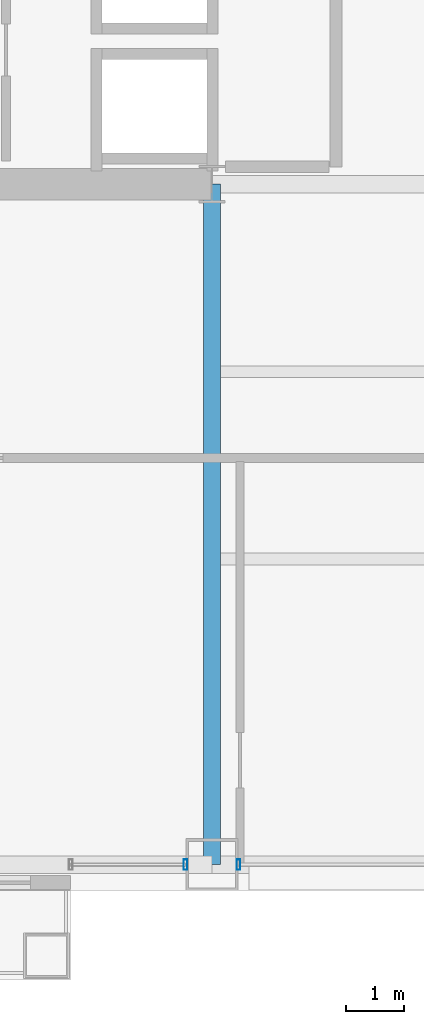
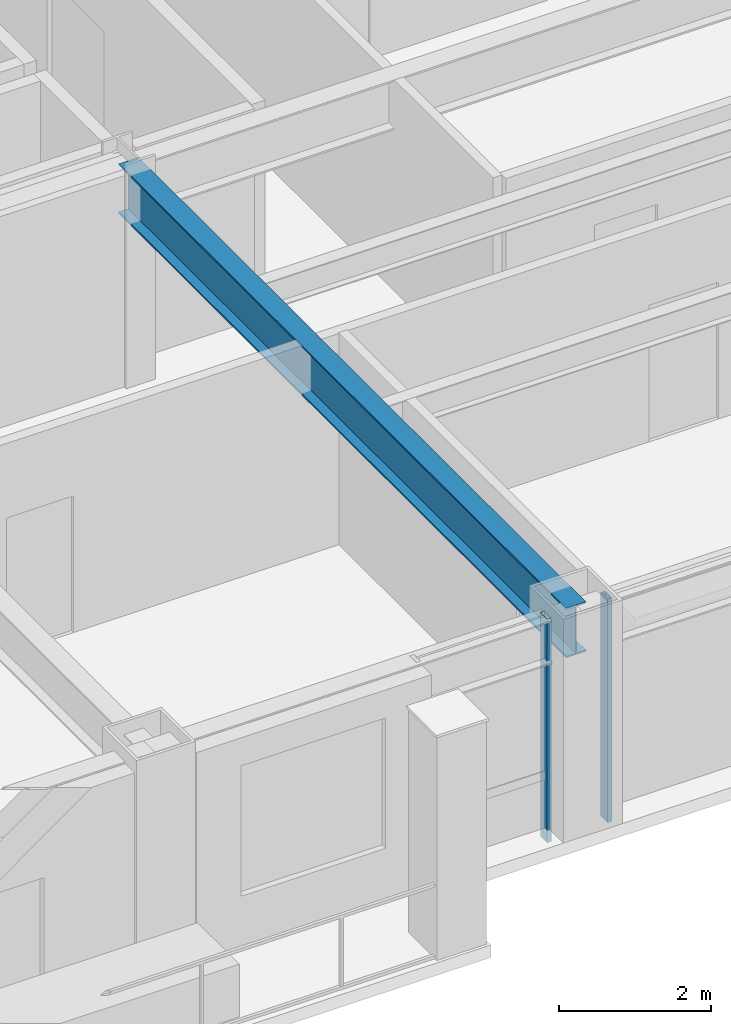
# One storey, part 5 of 29: 2 members, 1 beam, 2 elements without a shape of their own.
"""IFC4 building model written with IfcOpenShell, lengths in metres."""

from ifc_helpers import new_model, si_unit, direction, frame, origin, origin_2d, place, context, subcontext, project, spatial, hollow_rectangle, i_section, extrude, material, layer, layer_set, material_profile, profile_set, type_object, element, aggregate, save


model = new_model("IFC4")

# Units and contexts
model_context = context("Model", 3, precision=1e-05, world=origin(), true_north=direction((0.0, 1.0)))
body_context = subcontext(model_context, "Body", "Model", "MODEL_VIEW")
ifc_project = project(units=[si_unit("LENGTHUNIT", "METRE"), si_unit("AREAUNIT", "SQUARE_METRE"), si_unit("VOLUMEUNIT", "CUBIC_METRE"), si_unit("PLANEANGLEUNIT", "RADIAN"), si_unit("MASSUNIT", "GRAM", prefix="KILO")], contexts=[model_context])

# Site, building, storey
site_placement = place(None, origin())
site = spatial("IfcSite", under=ifc_project, at=site_placement, CompositionType="ELEMENT")
building_placement = place(site_placement, origin())
building = spatial("IfcBuilding", under=site, at=building_placement, Name="Brelmoor Portico Tower", CompositionType="ELEMENT")
storey_placement = place(building_placement, frame((0.0, 0.0, 60.0)))
storey = spatial("IfcBuildingStorey", under=building, at=storey_placement, Name="L15", CompositionType="ELEMENT", Elevation=60.0)

# Beam
ifc_material_1 = material(Name="Steel Q355B", Category="steel")
ifc_material_profile_1 = material_profile(ifc_material_1, i_section(OverallWidth=0.300048828125, OverallDepth=0.800048828125, WebThickness=0.013916015625, FlangeThickness=0.02587890625, at=origin_2d()), Name="HN 800x300x14x26")
ifc_profile_set_1 = profile_set([ifc_material_profile_1], Name="Steel Q355B")
beam_type = type_object("IfcBeamType", Name="BM-PG-800", PredefinedType="BEAM", material=ifc_profile_set_1)
beam_placement = place(storey_placement, frame((-8.050048828125, -21.550048828125, 3.0), z_axis=(0.0, 1.0, 0.0), x_axis=(-1.0, 0.0, 0.0)))
element("IfcBeam", 1, at=beam_placement, inside=storey, type_object=beam_type, Name="L15 Primary Floor Girder PG-07", PredefinedType="BEAM", context=body_context, shape_type="SweptSolid", body=[
    extrude(i_section(OverallWidth=0.300048828125, OverallDepth=0.800048828125, WebThickness=0.013916015625, FlangeThickness=0.02587890625, at=origin_2d()), origin(), (0.0, 0.0, 1.0), 11.800048828125),
])

# Curtain wall, member
ifc_material_2 = material(Name="Anodised Aluminium Alloy 6063-T6", Category="aluminium")
ifc_layer_1 = layer(ifc_material_2, 0.179931640625)
ifc_layer_set_1 = layer_set([ifc_layer_1], Name="Anodised Aluminium Alloy 6063-T6")
curtain_wall_type_1 = type_object("IfcCurtainWallType", Name="CW-TOWER-Z1", PredefinedType="NOTDEFINED", material=ifc_layer_set_1)
curtain_wall_1_placement = place(storey_placement, origin())
curtain_wall_1 = element("IfcCurtainWall", 2, at=curtain_wall_1_placement, inside=storey, type_object=curtain_wall_type_1, Name="L15 Curtain Wall CW-L15-1R-1", PredefinedType="NOTDEFINED")
ifc_material_profile_2 = material_profile(ifc_material_2, hollow_rectangle(XDim=0.06494140625, YDim=0.179931640625, WallThickness=0.00390625, at=origin_2d()), Name="ALU MULLION 65x180")
ifc_profile_set_2 = profile_set([ifc_material_profile_2], Name="Anodised Aluminium Alloy 6063-T6")
member_type = type_object("IfcMemberType", Name="MB-CW-MULL-180", PredefinedType="MULLION", material=ifc_profile_set_2)
member_1_placement = place(storey_placement, frame((-8.510009765625, -21.550048828125, -0.199951171875), z_axis=(0.0, 0.0, 1.0), x_axis=(1.0, 0.0, 0.0)))
member_1 = element("IfcMember", 3, at=member_1_placement, type_object=member_type, Name="CW-L15-1R-1 Mullion 01", PredefinedType="MULLION", context=body_context, shape_type="SweptSolid", body=[
    extrude(hollow_rectangle(XDim=0.06494140625, YDim=0.179931640625, WallThickness=0.00390625, at=origin_2d()), origin(), (0.0, 0.0, 1.0), 3.599853515625),
])
aggregate(curtain_wall_1, [member_1])

ifc_layer_2 = layer(ifc_material_2, 0.179931640625)
ifc_layer_set_2 = layer_set([ifc_layer_2], Name="Anodised Aluminium Alloy 6063-T6")
curtain_wall_type_2 = type_object("IfcCurtainWallType", Name="CW-TOWER-Z1-XB", PredefinedType="NOTDEFINED", material=ifc_layer_set_2)
curtain_wall_2_placement = place(storey_placement, origin())
curtain_wall_2 = element("IfcCurtainWall", 4, at=curtain_wall_2_placement, inside=storey, type_object=curtain_wall_type_2, Name="L15 Curtain Wall CW-L15-1R-2", PredefinedType="NOTDEFINED")
member_2_placement = place(storey_placement, frame((-7.590087890625, -21.550048828125, -0.199951171875), z_axis=(0.0, 0.0, 1.0), x_axis=(1.0, 0.0, 0.0)))
member_2 = element("IfcMember", 5, at=member_2_placement, type_object=member_type, Name="CW-L15-1R-2 Mullion 00", PredefinedType="MULLION", context=body_context, shape_type="SweptSolid", body=[
    extrude(hollow_rectangle(XDim=0.06494140625, YDim=0.179931640625, WallThickness=0.00390625, at=origin_2d()), origin(), (0.0, 0.0, 1.0), 3.599853515625),
])
aggregate(curtain_wall_2, [member_2])

save(model, "model.ifc")
